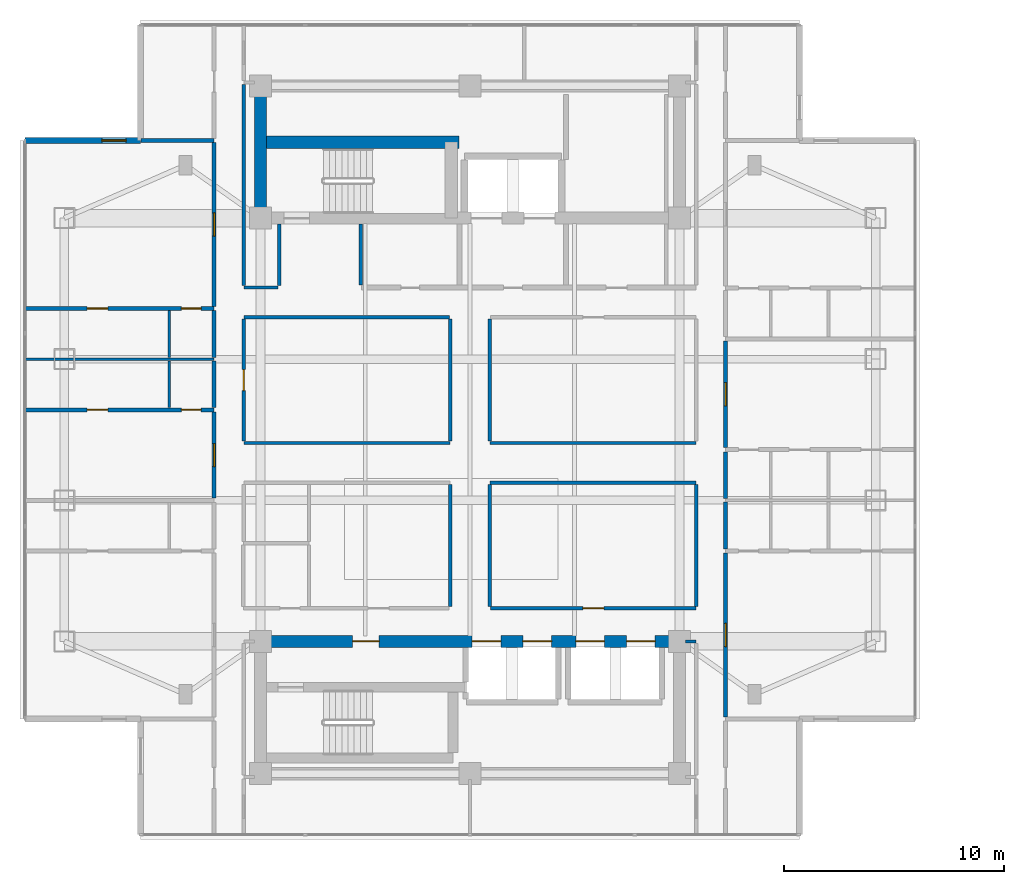
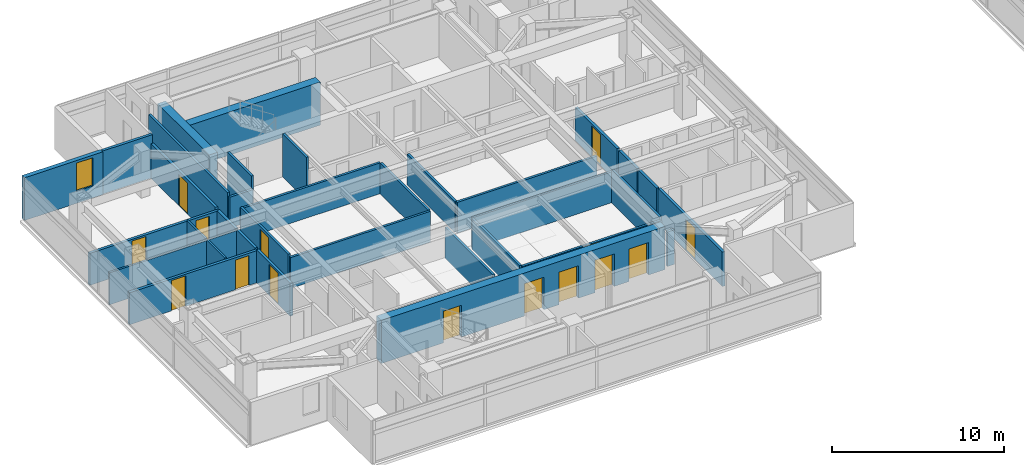
# One storey, part 13 of 24: 34 walls, 15 doors, 1 window, 16 openings.
"""IFC4 building model written with IfcOpenShell, lengths in metres."""

from ifc_helpers import new_model, si_unit, direction, frame, frame_2d, origin, place, context, subcontext, project, spatial, rectangle, extrude, material, layer, layer_set, type_object, element, fill, save


model = new_model("IFC4")

# Units and contexts
model_context = context("Model", 3, precision=1e-05, world=origin(), true_north=direction((0.0, 1.0)))
body_context = subcontext(model_context, "Body", "Model", "MODEL_VIEW")
ifc_project = project(units=[si_unit("LENGTHUNIT", "METRE"), si_unit("AREAUNIT", "SQUARE_METRE"), si_unit("VOLUMEUNIT", "CUBIC_METRE"), si_unit("PLANEANGLEUNIT", "RADIAN"), si_unit("MASSUNIT", "GRAM", prefix="KILO")], contexts=[model_context])

# Site, building, storey
site_placement = place(None, origin())
site = spatial("IfcSite", under=ifc_project, at=site_placement, CompositionType="ELEMENT")
building_placement = place(site_placement, origin())
building = spatial("IfcBuilding", under=site, at=building_placement, Name="Mirazonda Arch Towers", CompositionType="ELEMENT")
storey_placement = place(building_placement, frame((0.0, 0.0, 160.89990234375)))
storey = spatial("IfcBuildingStorey", under=building, at=storey_placement, Name="L45", CompositionType="ELEMENT", Elevation=160.89990234375)

# Walls
ifc_material_1 = material(Name="Concrete C50/60", Category="concrete")
ifc_layer_1 = layer(ifc_material_1, 0.550048828125, Name="WALL-CORE-550")
ifc_layer_set_1 = layer_set([ifc_layer_1], Name="Concrete C50/60")
wall_type_1 = type_object("IfcWallType", Name="WALL-CORE-550", PredefinedType="SHEAR", material=ifc_layer_set_1)
wall_1_placement = place(storey_placement, frame((11.0, 37.60009765625, 0.0), z_axis=(0.0, 0.0, 1.0), x_axis=(0.0, 1.0, 0.0)))
element("IfcWall", 1, at=wall_1_placement, inside=storey, type_object=wall_type_1, Name="L45 T1N-W Core Shear Wall", PredefinedType="SHEAR", context=body_context, shape_type="SweptSolid", body=[
    extrude(rectangle(XDim=6.0, YDim=0.550048828125, at=frame_2d((3.0, 0.0))), origin(), (0.0, 0.0, 1.0), 3.050048828125),
])
wall_2_placement = place(storey_placement, frame((11.0, 41.04296875, 0.0), z_axis=(0.0, 0.0, 1.0), x_axis=(1.0, 0.0, 0.0)))
element("IfcWall", 2, at=wall_2_placement, inside=storey, type_object=wall_type_1, Name="L45 T1N-STN Core Shear Wall", PredefinedType="SHEAR", context=body_context, shape_type="SweptSolid", body=[
    extrude(rectangle(XDim=9.0, YDim=0.550048828125, at=frame_2d((4.5, 0.0))), origin(), (0.0, 0.0, 1.0), 3.050048828125),
])

# Wall, openings, doors
wall_3_placement = place(storey_placement, frame((11.0, 18.39990234375, 0.0), z_axis=(0.0, 0.0, 1.0), x_axis=(1.0, 0.0, 0.0)))
wall_3 = element("IfcWall", 3, at=wall_3_placement, inside=storey, type_object=wall_type_1, Name="L45 T1S-N Core Shear Wall", PredefinedType="SHEAR", context=body_context, shape_type="SweptSolid", body=[
    extrude(rectangle(XDim=19.0, YDim=0.550048828125, at=frame_2d((9.5, 0.0))), origin(), (0.0, 0.0, 1.0), 3.050048828125),
])
opening_1_placement = place(wall_3_placement, frame((4.175048828125, 0.0, 0.0)))
opening_1 = element("IfcOpeningElement", 4, at=opening_1_placement, cuts=wall_3, Name="Opening DR-117", PredefinedType="OPENING", context=body_context, shape_type="SweptSolid", body=[
    extrude(rectangle(XDim=1.199951171875, YDim=2.25, at=frame_2d((0.60009765625, 1.125))), frame((0.0, 0.284912109375, 0.0), z_axis=(0.0, -1.0, 0.0), x_axis=(1.0, 0.0, 0.0)), (0.0, 0.0, 1.0), 0.570068359375),
])
opening_2_placement = place(wall_3_placement, frame((9.60009765625, 0.0, 0.0)))
opening_2 = element("IfcOpeningElement", 5, at=opening_2_placement, cuts=wall_3, Name="Opening LD-111", PredefinedType="OPENING", context=body_context, shape_type="SweptSolid", body=[
    extrude(rectangle(XDim=1.300048828125, YDim=2.300048828125, at=frame_2d((0.64990234375, 1.14990234375))), frame((0.0, 0.284912109375, 0.0), z_axis=(0.0, -1.0, 0.0), x_axis=(1.0, 0.0, 0.0)), (0.0, 0.0, 1.0), 0.570068359375),
])
opening_3_placement = place(wall_3_placement, frame((11.89990234375, 0.0, 0.0)))
opening_3 = element("IfcOpeningElement", 6, at=opening_3_placement, cuts=wall_3, Name="Opening LD-111", PredefinedType="OPENING", context=body_context, shape_type="SweptSolid", body=[
    extrude(rectangle(XDim=1.300048828125, YDim=2.300048828125, at=frame_2d((0.64990234375, 1.14990234375))), frame((0.0, 0.284912109375, 0.0), z_axis=(0.0, -1.0, 0.0), x_axis=(1.0, 0.0, 0.0)), (0.0, 0.0, 1.0), 0.570068359375),
])
opening_4_placement = place(wall_3_placement, frame((14.300048828125, 0.0, 0.0)))
opening_4 = element("IfcOpeningElement", 7, at=opening_4_placement, cuts=wall_3, Name="Opening LD-111", PredefinedType="OPENING", context=body_context, shape_type="SweptSolid", body=[
    extrude(rectangle(XDim=1.300048828125, YDim=2.300048828125, at=frame_2d((0.64990234375, 1.14990234375))), frame((0.0, 0.284912109375, 0.0), z_axis=(0.0, -1.0, 0.0), x_axis=(1.0, 0.0, 0.0)), (0.0, 0.0, 1.0), 0.570068359375),
])
opening_5_placement = place(wall_3_placement, frame((16.60009765625, 0.0, 0.0)))
opening_5 = element("IfcOpeningElement", 8, at=opening_5_placement, cuts=wall_3, Name="Opening LD-111", PredefinedType="OPENING", context=body_context, shape_type="SweptSolid", body=[
    extrude(rectangle(XDim=1.300048828125, YDim=2.300048828125, at=frame_2d((0.64990234375, 1.14990234375))), frame((0.0, 0.284912109375, 0.0), z_axis=(0.0, -1.0, 0.0), x_axis=(1.0, 0.0, 0.0)), (0.0, 0.0, 1.0), 0.570068359375),
])
ifc_material_2 = material(Name="Architectural Brushed Steel S355", Category="steel")
door_type_1 = type_object("IfcDoorType", Name="DOOR-FFL-FD90-1200", OperationType="NOTDEFINED", PredefinedType="DOOR", material=ifc_material_2)
door_1_placement = place(opening_1_placement, origin())
door_1 = element("IfcDoor", 9, at=door_1_placement, inside=storey, type_object=door_type_1, Name="L45 South Core Stair & Lift Lobby Door", OperationType="SINGLE_SWING_LEFT", OverallHeight=2.25, OverallWidth=1.199951171875, PredefinedType="DOOR", context=body_context, shape_type="SweptSolid", body=[
    extrude(rectangle(XDim=1.199951171875, YDim=2.25, at=frame_2d((0.60009765625, 1.125))), frame((0.0, 0.02490234375, 0.0), z_axis=(0.0, -1.0, 0.0), x_axis=(1.0, 0.0, 0.0)), (0.0, 0.0, 1.0), 0.050048828125),
])
fill(opening_1, door_1)
door_type_2 = type_object("IfcDoorType", Name="DOOR-LIFT-LAND-1300", OperationType="NOTDEFINED", PredefinedType="DOOR", material=ifc_material_2)
door_2_placement = place(opening_2_placement, origin())
door_2 = element("IfcDoor", 10, at=door_2_placement, inside=storey, type_object=door_type_2, Name="L45 Lift Landing Sliding Door PL-T1M1", OperationType="DOUBLE_DOOR_SLIDING", OverallHeight=2.300048828125, OverallWidth=1.300048828125, PredefinedType="DOOR", context=body_context, shape_type="SweptSolid", body=[
    extrude(rectangle(XDim=1.300048828125, YDim=2.300048828125, at=frame_2d((0.64990234375, 1.14990234375))), frame((0.0, 0.02490234375, 0.0), z_axis=(0.0, -1.0, 0.0), x_axis=(1.0, 0.0, 0.0)), (0.0, 0.0, 1.0), 0.050048828125),
])
fill(opening_2, door_2)
door_3_placement = place(opening_3_placement, origin())
door_3 = element("IfcDoor", 11, at=door_3_placement, inside=storey, type_object=door_type_2, Name="L45 Lift Landing Sliding Door PL-T1M2", OperationType="DOUBLE_DOOR_SLIDING", OverallHeight=2.300048828125, OverallWidth=1.300048828125, PredefinedType="DOOR", context=body_context, shape_type="SweptSolid", body=[
    extrude(rectangle(XDim=1.300048828125, YDim=2.300048828125, at=frame_2d((0.64990234375, 1.14990234375))), frame((0.0, 0.02490234375, 0.0), z_axis=(0.0, -1.0, 0.0), x_axis=(1.0, 0.0, 0.0)), (0.0, 0.0, 1.0), 0.050048828125),
])
fill(opening_3, door_3)
door_4_placement = place(opening_4_placement, origin())
door_4 = element("IfcDoor", 12, at=door_4_placement, inside=storey, type_object=door_type_2, Name="L45 Lift Landing Sliding Door PL-T1H1", OperationType="DOUBLE_DOOR_SLIDING", OverallHeight=2.300048828125, OverallWidth=1.300048828125, PredefinedType="DOOR", context=body_context, shape_type="SweptSolid", body=[
    extrude(rectangle(XDim=1.300048828125, YDim=2.300048828125, at=frame_2d((0.64990234375, 1.14990234375))), frame((0.0, 0.02490234375, 0.0), z_axis=(0.0, -1.0, 0.0), x_axis=(1.0, 0.0, 0.0)), (0.0, 0.0, 1.0), 0.050048828125),
])
fill(opening_4, door_4)
door_5_placement = place(opening_5_placement, origin())
door_5 = element("IfcDoor", 13, at=door_5_placement, inside=storey, type_object=door_type_2, Name="L45 Lift Landing Sliding Door PL-T1H2", OperationType="DOUBLE_DOOR_SLIDING", OverallHeight=2.300048828125, OverallWidth=1.300048828125, PredefinedType="DOOR", context=body_context, shape_type="SweptSolid", body=[
    extrude(rectangle(XDim=1.300048828125, YDim=2.300048828125, at=frame_2d((0.64990234375, 1.14990234375))), frame((0.0, 0.02490234375, 0.0), z_axis=(0.0, -1.0, 0.0), x_axis=(1.0, 0.0, 0.0)), (0.0, 0.0, 1.0), 0.050048828125),
])
fill(opening_5, door_5)

# Wall, opening, window
ifc_material_3 = material(Name="Precast Concrete C40/50", Category="concrete")
ifc_layer_2 = layer(ifc_material_3, 0.280029296875, Name="WALL-EXT-WALL-280")
ifc_layer_set_2 = layer_set([ifc_layer_2], Name="Precast Concrete C40/50")
wall_type_2 = type_object("IfcWallType", Name="WALL-EXT-WALL-280", PredefinedType="SOLIDWALL", material=ifc_layer_set_2)
wall_4_placement = place(storey_placement, frame((5.554931640625, 41.12109375, 0.0), z_axis=(0.0, 0.0, 1.0), x_axis=(-1.0, 0.0, 0.0)))
wall_4 = element("IfcWall", 14, at=wall_4_placement, inside=storey, type_object=wall_type_2, Name="L45 T1 Corner Notch Return Wall WL-L45-T1-CNW1", PredefinedType="SOLIDWALL", context=body_context, shape_type="SweptSolid", body=[
    extrude(rectangle(XDim=5.244873046875, YDim=0.280029296875, at=frame_2d((2.62255859375, 0.0))), origin(), (0.0, 0.0, 1.0), 3.030029296875),
])
opening_6_placement = place(wall_4_placement, frame((0.64990234375, 0.0, 0.85009765625)))
opening_6 = element("IfcOpeningElement", 15, at=opening_6_placement, cuts=wall_4, Name="Opening WN-108", PredefinedType="OPENING", context=body_context, shape_type="SweptSolid", body=[
    extrude(rectangle(XDim=1.10009765625, YDim=2.0, at=frame_2d((0.550048828125, 1.0))), frame((0.0, 0.14990234375, 0.0), z_axis=(0.0, -1.0, 0.0), x_axis=(1.0, 0.0, 0.0)), (0.0, 0.0, 1.0), 0.300048828125),
])
ifc_material_4 = material(Name="Insulated Low-E Solar Glass", Category="glass")
window_type = type_object("IfcWindowType", Name="WIN-NOTCH-1100x2000", PartitioningType="SINGLE_PANEL", PredefinedType="WINDOW", material=ifc_material_4)
window_placement = place(opening_6_placement, origin())
window = element("IfcWindow", 16, at=window_placement, inside=storey, type_object=window_type, Name="L45 Punched Facade Window WN-L45-T1-CNW1", OverallHeight=2.0, OverallWidth=1.10009765625, PartitioningType="SINGLE_PANEL", PredefinedType="WINDOW", context=body_context, shape_type="SweptSolid", body=[
    extrude(rectangle(XDim=1.10009765625, YDim=2.0, at=frame_2d((0.550048828125, 1.0))), frame((0.0, 0.030029296875, 0.0), z_axis=(0.0, -1.0, 0.0), x_axis=(1.0, 0.0, 0.0)), (0.0, 0.0, 1.0), 0.06005859375),
])
fill(opening_6, window)

# Wall
ifc_material_5 = material(Name="Fire-Rated Gypsum Stud Partition")
ifc_layer_3 = layer(ifc_material_5, 0.14990234375, Name="WALL-PART-CORR-150")
ifc_layer_set_3 = layer_set([ifc_layer_3], Name="Fire-Rated Gypsum Stud Partition")
wall_type_3 = type_object("IfcWallType", Name="WALL-PART-CORR-150", PredefinedType="PARTITIONING", material=ifc_layer_set_3)
wall_5_placement = place(storey_placement, frame((30.27001953125, 18.39990234375, 0.0), z_axis=(0.0, 0.0, 1.0), x_axis=(1.0, 0.0, 0.0)))
element("IfcWall", 17, at=wall_5_placement, inside=storey, type_object=wall_type_3, Name="L45 Interior Partition 013", PredefinedType="PARTITIONING", context=body_context, shape_type="SweptSolid", body=[
    extrude(rectangle(XDim=0.489990234375, YDim=0.14990234375, at=frame_2d((0.2451171875, 0.0))), origin(), (0.0, 0.0, 1.0), 2.442138671875),
])

# Wall, opening, door
wall_6_placement = place(storey_placement, frame((21.43994140625, 19.89990234375, 0.0), z_axis=(0.0, 0.0, 1.0), x_axis=(1.0, 0.0, 0.0)))
wall_6 = element("IfcWall", 18, at=wall_6_placement, inside=storey, type_object=wall_type_3, Name="L45 Interior Partition 016", PredefinedType="PARTITIONING", context=body_context, shape_type="SweptSolid", body=[
    extrude(rectangle(XDim=9.320068359375, YDim=0.14990234375, at=frame_2d((4.66015625, 0.0))), origin(), (0.0, 0.0, 1.0), 2.18603515625),
])
opening_7_placement = place(wall_6_placement, frame((4.18505859375, 0.0, 0.0)))
opening_7 = element("IfcOpeningElement", 19, at=opening_7_placement, cuts=wall_6, Name="Opening DR-104", PredefinedType="OPENING", context=body_context, shape_type="SweptSolid", body=[
    extrude(rectangle(XDim=0.949951171875, YDim=2.14990234375, at=frame_2d((0.47509765625, 1.074951171875))), frame((0.0, 0.0849609375, 0.0), z_axis=(0.0, -1.0, 0.0), x_axis=(1.0, 0.0, 0.0)), (0.0, 0.0, 1.0), 0.169921875),
])
door_type_3 = type_object("IfcDoorType", Name="DOOR-ROOM-950", OperationType="NOTDEFINED", PredefinedType="DOOR", material=ifc_material_2)
door_6_placement = place(opening_7_placement, origin())
door_6 = element("IfcDoor", 20, at=door_6_placement, inside=storey, type_object=door_type_3, Name="L45 L45 South-East Cruciform Lounge Door", OperationType="SINGLE_SWING_LEFT", OverallHeight=2.14990234375, OverallWidth=0.949951171875, PredefinedType="DOOR", context=body_context, shape_type="SweptSolid", body=[
    extrude(rectangle(XDim=0.949951171875, YDim=2.14990234375, at=frame_2d((0.47509765625, 1.074951171875))), frame((0.0, 0.02490234375, 0.0), z_axis=(0.0, -1.0, 0.0), x_axis=(1.0, 0.0, 0.0)), (0.0, 0.0, 1.0), 0.050048828125),
])
fill(opening_7, door_6)

# Walls
for number, where, z_axis, x_axis, name in (
    (21, (21.39990234375, 25.60009765625, 0.0), (0.0, 0.0, 1.0), (1.0, 0.0, 0.0), "L45 Interior Partition 030"),
    (22, (10.239990234375, 27.39990234375, 0.0), (0.0, 0.0, 1.0), (1.0, 0.0, 0.0), "L45 Interior Partition 034"),
    (23, (21.39990234375, 27.39990234375, 0.0), (0.0, 0.0, 1.0), (1.0, 0.0, 0.0), "L45 Interior Partition 035"),
):
    element("IfcWall", number, at=place(storey_placement, frame(where, z_axis=z_axis, x_axis=x_axis)), inside=storey, type_object=wall_type_3, Name=name, PredefinedType="PARTITIONING", context=body_context, shape_type="SweptSolid", body=[
        extrude(rectangle(XDim=9.360107421875, YDim=0.14990234375, at=frame_2d((4.68017578125, 0.0))), origin(), (0.0, 0.0, 1.0), 2.18603515625),
    ])
wall_7_placement = place(storey_placement, frame((10.239990234375, 33.10009765625, 0.0), z_axis=(0.0, 0.0, 1.0), x_axis=(1.0, 0.0, 0.0)))
element("IfcWall", 24, at=wall_7_placement, inside=storey, type_object=wall_type_3, Name="L45 Interior Partition 047", PredefinedType="PARTITIONING", context=body_context, shape_type="SweptSolid", body=[
    extrude(rectangle(XDim=9.320068359375, YDim=0.14990234375, at=frame_2d((4.66015625, 0.0))), origin(), (0.0, 0.0, 1.0), 2.18603515625),
])
wall_8_placement = place(storey_placement, frame((10.239990234375, 34.449951171875, 0.0), z_axis=(0.0, 0.0, 1.0), x_axis=(1.0, 0.0, 0.0)))
element("IfcWall", 25, at=wall_8_placement, inside=storey, type_object=wall_type_3, Name="L45 Interior Partition 051", PredefinedType="PARTITIONING", context=body_context, shape_type="SweptSolid", body=[
    extrude(rectangle(XDim=1.56005859375, YDim=0.14990234375, at=frame_2d((0.780029296875, 0.0))), origin(), (0.0, 0.0, 1.0), 2.18603515625),
])

# Wall, opening, door
wall_9_placement = place(storey_placement, frame((10.239990234375, 27.485107421875, 0.0), z_axis=(0.0, 0.0, 1.0), x_axis=(0.0, 1.0, 0.0)))
wall_9 = element("IfcWall", 26, at=wall_9_placement, inside=storey, type_object=wall_type_3, Name="L45 Interior Partition 079", PredefinedType="PARTITIONING", context=body_context, shape_type="SweptSolid", body=[
    extrude(rectangle(XDim=5.52978515625, YDim=0.14990234375, at=frame_2d((2.764892578125, 0.0))), origin(), (0.0, 0.0, 1.0), 2.34619140625),
])
opening_8_placement = place(wall_9_placement, frame((2.2900390625, 0.0, 0.0)))
opening_8 = element("IfcOpeningElement", 27, at=opening_8_placement, cuts=wall_9, Name="Opening DR-104", PredefinedType="OPENING", context=body_context, shape_type="SweptSolid", body=[
    extrude(rectangle(XDim=0.949951171875, YDim=2.14990234375, at=frame_2d((0.47509765625, 1.074951171875))), frame((0.0, 0.0849609375, 0.0), z_axis=(0.0, -1.0, 0.0), x_axis=(1.0, 0.0, 0.0)), (0.0, 0.0, 1.0), 0.169921875),
])
door_7_placement = place(opening_8_placement, origin())
door_7 = element("IfcDoor", 28, at=door_7_placement, inside=storey, type_object=door_type_3, Name="L45 L45 West Courtyard Reading Salon Door", OperationType="SINGLE_SWING_RIGHT", OverallHeight=2.14990234375, OverallWidth=0.949951171875, PredefinedType="DOOR", context=body_context, shape_type="SweptSolid", body=[
    extrude(rectangle(XDim=0.949951171875, YDim=2.14990234375, at=frame_2d((0.47509765625, 1.074951171875))), frame((0.0, 0.02490234375, 0.0), z_axis=(0.0, -1.0, 0.0), x_axis=(1.0, 0.0, 0.0)), (0.0, 0.0, 1.0), 0.050048828125),
])
fill(opening_8, door_7)

# Walls
wall_10_placement = place(storey_placement, frame((10.239990234375, 34.534912109375, 0.0), z_axis=(0.0, 0.0, 1.0), x_axis=(0.0, 1.0, 0.0)))
element("IfcWall", 29, at=wall_10_placement, inside=storey, type_object=wall_type_3, Name="L45 Interior Partition 080", PredefinedType="PARTITIONING", context=body_context, shape_type="SweptSolid", body=[
    extrude(rectangle(XDim=9.130126953125, YDim=0.14990234375, at=frame_2d((4.56494140625, 0.0))), origin(), (0.0, 0.0, 1.0), 2.442138671875),
])
wall_11_placement = place(storey_placement, frame((11.85009765625, 34.534912109375, 0.0), z_axis=(0.0, 0.0, 1.0), x_axis=(0.0, 1.0, 0.0)))
element("IfcWall", 30, at=wall_11_placement, inside=storey, type_object=wall_type_3, Name="L45 Interior Partition 082", PredefinedType="PARTITIONING", context=body_context, shape_type="SweptSolid", body=[
    extrude(rectangle(XDim=2.795166015625, YDim=0.14990234375, at=frame_2d((1.3974609375, 0.0))), origin(), (0.0, 0.0, 1.0), 3.050048828125),
])
wall_12_placement = place(storey_placement, frame((15.550048828125, 34.570068359375, 0.0), z_axis=(0.0, 0.0, 1.0), x_axis=(0.0, 1.0, 0.0)))
element("IfcWall", 31, at=wall_12_placement, inside=storey, type_object=wall_type_3, Name="L45 Interior Partition 085", PredefinedType="PARTITIONING", context=body_context, shape_type="SweptSolid", body=[
    extrude(rectangle(XDim=2.760009765625, YDim=0.14990234375, at=frame_2d((1.3798828125, 0.0))), origin(), (0.0, 0.0, 1.0), 3.050048828125),
])
for number, where, z_axis, x_axis, name in (
    (32, (19.60009765625, 19.985107421875, 0.0), (0.0, 0.0, 1.0), (0.0, 1.0, 0.0), "L45 Interior Partition 086"),
    (33, (19.60009765625, 27.485107421875, 0.0), (0.0, 0.0, 1.0), (0.0, 1.0, 0.0), "L45 Interior Partition 087"),
    (34, (21.39990234375, 19.985107421875, 0.0), (0.0, 0.0, 1.0), (0.0, 1.0, 0.0), "L45 Interior Partition 094"),
    (35, (21.39990234375, 27.485107421875, 0.0), (0.0, 0.0, 1.0), (0.0, 1.0, 0.0), "L45 Interior Partition 095"),
):
    element("IfcWall", number, at=place(storey_placement, frame(where, z_axis=z_axis, x_axis=x_axis)), inside=storey, type_object=wall_type_3, Name=name, PredefinedType="PARTITIONING", context=body_context, shape_type="SweptSolid", body=[
        extrude(rectangle(XDim=5.52978515625, YDim=0.14990234375, at=frame_2d((2.764892578125, 0.0))), origin(), (0.0, 0.0, 1.0), 2.18603515625),
    ])
wall_13_placement = place(storey_placement, frame((30.760009765625, 19.985107421875, 0.0), z_axis=(0.0, 0.0, 1.0), x_axis=(0.0, 1.0, 0.0)))
element("IfcWall", 36, at=wall_13_placement, inside=storey, type_object=wall_type_3, Name="L45 Interior Partition 107", PredefinedType="PARTITIONING", context=body_context, shape_type="SweptSolid", body=[
    extrude(rectangle(XDim=5.52978515625, YDim=0.14990234375, at=frame_2d((2.764892578125, 0.0))), origin(), (0.0, 0.0, 1.0), 2.34619140625),
])

# Wall, openings, doors
ifc_material_6 = material(Name="Fire-Rated Gypsum Twin-Stud Assembly")
ifc_layer_4 = layer(ifc_material_6, 0.179931640625, Name="WALL-PART-DEMISE-180")
ifc_layer_set_4 = layer_set([ifc_layer_4], Name="Fire-Rated Gypsum Twin-Stud Assembly")
wall_type_4 = type_object("IfcWallType", Name="WALL-PART-DEMISE-180", PredefinedType="PARTITIONING", material=ifc_layer_set_4)
wall_14_placement = place(storey_placement, frame((0.31005859375, 28.89990234375, 0.0), z_axis=(0.0, 0.0, 1.0), x_axis=(1.0, 0.0, 0.0)))
wall_14 = element("IfcWall", 37, at=wall_14_placement, inside=storey, type_object=wall_type_4, Name="L45 Interior Partition 038", PredefinedType="PARTITIONING", context=body_context, shape_type="SweptSolid", body=[
    extrude(rectangle(XDim=8.58984375, YDim=0.179931640625, at=frame_2d((4.294921875, 0.0))), origin(), (0.0, 0.0, 1.0), 2.26904296875),
])
opening_9_placement = place(wall_14_placement, frame((2.820068359375, 0.0, 0.0)))
opening_9 = element("IfcOpeningElement", 38, at=opening_9_placement, cuts=wall_14, Name="Opening DR-104", PredefinedType="OPENING", context=body_context, shape_type="SweptSolid", body=[
    extrude(rectangle(XDim=0.949951171875, YDim=2.14990234375, at=frame_2d((0.47509765625, 1.074951171875))), frame((0.0, 0.099853515625, 0.0), z_axis=(0.0, -1.0, 0.0), x_axis=(1.0, 0.0, 0.0)), (0.0, 0.0, 1.0), 0.199951171875),
])
opening_10_placement = place(wall_14_placement, frame((7.10009765625, 0.0, 0.0)))
opening_10 = element("IfcOpeningElement", 39, at=opening_10_placement, cuts=wall_14, Name="Opening DR-120", PredefinedType="OPENING", context=body_context, shape_type="SweptSolid", body=[
    extrude(rectangle(XDim=0.89990234375, YDim=2.10009765625, at=frame_2d((0.449951171875, 1.050048828125))), frame((0.0, 0.099853515625, 0.0), z_axis=(0.0, -1.0, 0.0), x_axis=(1.0, 0.0, 0.0)), (0.0, 0.0, 1.0), 0.199951171875),
])
door_8_placement = place(opening_9_placement, origin())
door_8 = element("IfcDoor", 40, at=door_8_placement, inside=storey, type_object=door_type_3, Name="L45 Studio 2 Galley Kitchen Door", OperationType="SINGLE_SWING_RIGHT", OverallHeight=2.14990234375, OverallWidth=0.949951171875, PredefinedType="DOOR", context=body_context, shape_type="SweptSolid", body=[
    extrude(rectangle(XDim=0.949951171875, YDim=2.14990234375, at=frame_2d((0.47509765625, 1.074951171875))), frame((0.0, 0.02490234375, 0.0), z_axis=(0.0, -1.0, 0.0), x_axis=(1.0, 0.0, 0.0)), (0.0, 0.0, 1.0), 0.050048828125),
])
fill(opening_9, door_8)
door_type_4 = type_object("IfcDoorType", Name="DOOR-WC-900", OperationType="NOTDEFINED", PredefinedType="DOOR", material=ifc_material_2)
door_9_placement = place(opening_10_placement, origin())
door_9 = element("IfcDoor", 41, at=door_9_placement, inside=storey, type_object=door_type_4, Name="L45 Studio 2 Bathroom Door", OperationType="SINGLE_SWING_LEFT", OverallHeight=2.10009765625, OverallWidth=0.89990234375, PredefinedType="DOOR", context=body_context, shape_type="SweptSolid", body=[
    extrude(rectangle(XDim=0.89990234375, YDim=2.10009765625, at=frame_2d((0.449951171875, 1.050048828125))), frame((0.0, 0.02490234375, 0.0), z_axis=(0.0, -1.0, 0.0), x_axis=(1.0, 0.0, 0.0)), (0.0, 0.0, 1.0), 0.050048828125),
])
fill(opening_10, door_9)

wall_15_placement = place(storey_placement, frame((0.31005859375, 33.5, 0.0), z_axis=(0.0, 0.0, 1.0), x_axis=(1.0, 0.0, 0.0)))
wall_15 = element("IfcWall", 42, at=wall_15_placement, inside=storey, type_object=wall_type_4, Name="L45 Interior Partition 049", PredefinedType="PARTITIONING", context=body_context, shape_type="SweptSolid", body=[
    extrude(rectangle(XDim=8.58984375, YDim=0.179931640625, at=frame_2d((4.294921875, 0.0))), origin(), (0.0, 0.0, 1.0), 2.26904296875),
])
opening_11_placement = place(wall_15_placement, frame((2.820068359375, 0.0, 0.0)))
opening_11 = element("IfcOpeningElement", 43, at=opening_11_placement, cuts=wall_15, Name="Opening DR-104", PredefinedType="OPENING", context=body_context, shape_type="SweptSolid", body=[
    extrude(rectangle(XDim=0.949951171875, YDim=2.14990234375, at=frame_2d((0.47509765625, 1.074951171875))), frame((0.0, 0.099853515625, 0.0), z_axis=(0.0, -1.0, 0.0), x_axis=(1.0, 0.0, 0.0)), (0.0, 0.0, 1.0), 0.199951171875),
])
opening_12_placement = place(wall_15_placement, frame((7.10009765625, 0.0, 0.0)))
opening_12 = element("IfcOpeningElement", 44, at=opening_12_placement, cuts=wall_15, Name="Opening DR-120", PredefinedType="OPENING", context=body_context, shape_type="SweptSolid", body=[
    extrude(rectangle(XDim=0.89990234375, YDim=2.10009765625, at=frame_2d((0.449951171875, 1.050048828125))), frame((0.0, 0.099853515625, 0.0), z_axis=(0.0, -1.0, 0.0), x_axis=(1.0, 0.0, 0.0)), (0.0, 0.0, 1.0), 0.199951171875),
])
door_10_placement = place(opening_11_placement, origin())
door_10 = element("IfcDoor", 45, at=door_10_placement, inside=storey, type_object=door_type_3, Name="L45 Studio 3 Galley Kitchen Door", OperationType="SINGLE_SWING_LEFT", OverallHeight=2.14990234375, OverallWidth=0.949951171875, PredefinedType="DOOR", context=body_context, shape_type="SweptSolid", body=[
    extrude(rectangle(XDim=0.949951171875, YDim=2.14990234375, at=frame_2d((0.47509765625, 1.074951171875))), frame((0.0, 0.02490234375, 0.0), z_axis=(0.0, -1.0, 0.0), x_axis=(1.0, 0.0, 0.0)), (0.0, 0.0, 1.0), 0.050048828125),
])
fill(opening_11, door_10)
door_11_placement = place(opening_12_placement, origin())
door_11 = element("IfcDoor", 46, at=door_11_placement, inside=storey, type_object=door_type_4, Name="L45 Studio 3 Bathroom Door", OperationType="SINGLE_SWING_RIGHT", OverallHeight=2.10009765625, OverallWidth=0.89990234375, PredefinedType="DOOR", context=body_context, shape_type="SweptSolid", body=[
    extrude(rectangle(XDim=0.89990234375, YDim=2.10009765625, at=frame_2d((0.449951171875, 1.050048828125))), frame((0.0, 0.02490234375, 0.0), z_axis=(0.0, -1.0, 0.0), x_axis=(1.0, 0.0, 0.0)), (0.0, 0.0, 1.0), 0.050048828125),
])
fill(opening_12, door_11)

# Wall
wall_16_placement = place(storey_placement, frame((5.574951171875, 41.12109375, 0.0), z_axis=(0.0, 0.0, 1.0), x_axis=(1.0, 0.0, 0.0)))
element("IfcWall", 47, at=wall_16_placement, inside=storey, type_object=wall_type_4, Name="L45 Interior Partition 060", PredefinedType="PARTITIONING", context=body_context, shape_type="SweptSolid", body=[
    extrude(rectangle(XDim=3.324951171875, YDim=0.179931640625, at=frame_2d((1.66259765625, 0.0))), origin(), (0.0, 0.0, 1.0), 3.050048828125),
])

# Wall, opening, door
wall_17_placement = place(storey_placement, frame((8.89990234375, 24.89990234375, 0.0), z_axis=(0.0, 0.0, 1.0), x_axis=(0.0, 1.0, 0.0)))
wall_17 = element("IfcWall", 48, at=wall_17_placement, inside=storey, type_object=wall_type_4, Name="L45 Interior Partition 070", PredefinedType="PARTITIONING", context=body_context, shape_type="SweptSolid", body=[
    extrude(rectangle(XDim=3.900146484375, YDim=0.179931640625, at=frame_2d((1.9501953125, 0.0))), origin(), (0.0, 0.0, 1.0), 2.34619140625),
])
opening_13_placement = place(wall_17_placement, frame((1.425048828125, 0.0, 0.0)))
opening_13 = element("IfcOpeningElement", 49, at=opening_13_placement, cuts=wall_17, Name="Opening DR-121", PredefinedType="OPENING", context=body_context, shape_type="SweptSolid", body=[
    extrude(rectangle(XDim=1.050048828125, YDim=2.199951171875, at=frame_2d((0.52490234375, 1.10009765625))), frame((0.0, 0.099853515625, 0.0), z_axis=(0.0, -1.0, 0.0), x_axis=(1.0, 0.0, 0.0)), (0.0, 0.0, 1.0), 0.199951171875),
])
door_type_5 = type_object("IfcDoorType", Name="DOOR-SUITE-FD60-1050", OperationType="NOTDEFINED", PredefinedType="DOOR", material=ifc_material_2)
door_12_placement = place(opening_13_placement, origin())
door_12 = element("IfcDoor", 50, at=door_12_placement, inside=storey, type_object=door_type_5, Name="L45 Studio Apartment 2 Living Salon Door", OperationType="SINGLE_SWING_LEFT", OverallHeight=2.199951171875, OverallWidth=1.050048828125, PredefinedType="DOOR", context=body_context, shape_type="SweptSolid", body=[
    extrude(rectangle(XDim=1.050048828125, YDim=2.199951171875, at=frame_2d((0.52490234375, 1.10009765625))), frame((0.0, 0.02490234375, 0.0), z_axis=(0.0, -1.0, 0.0), x_axis=(1.0, 0.0, 0.0)), (0.0, 0.0, 1.0), 0.050048828125),
])
fill(opening_13, door_12)

# Walls
for number, where, z_axis, x_axis, name in (
    (51, (8.89990234375, 29.0, 0.0), (0.0, 0.0, 1.0), (0.0, 1.0, 0.0), "L45 Interior Partition 071"),
    (52, (8.89990234375, 31.2724609375, 0.0), (0.0, 0.0, 1.0), (0.0, 1.0, 0.0), "L45 Interior Partition 072"),
):
    element("IfcWall", number, at=place(storey_placement, frame(where, z_axis=z_axis, x_axis=x_axis)), inside=storey, type_object=wall_type_4, Name=name, PredefinedType="PARTITIONING", context=body_context, shape_type="SweptSolid", body=[
        extrude(rectangle(XDim=2.12744140625, YDim=0.179931640625, at=frame_2d((1.063720703125, 0.0))), origin(), (0.0, 0.0, 1.0), 2.34619140625),
    ])

# Wall, opening, door
wall_18_placement = place(storey_placement, frame((8.89990234375, 33.60009765625, 0.0), z_axis=(0.0, 0.0, 1.0), x_axis=(0.0, 1.0, 0.0)))
wall_18 = element("IfcWall", 53, at=wall_18_placement, inside=storey, type_object=wall_type_4, Name="L45 Interior Partition 073", PredefinedType="PARTITIONING", context=body_context, shape_type="SweptSolid", body=[
    extrude(rectangle(XDim=7.4208984375, YDim=0.179931640625, at=frame_2d((3.71044921875, 0.0))), origin(), (0.0, 0.0, 1.0), 2.442138671875),
])
opening_14_placement = place(wall_18_placement, frame((3.185546875, 0.0, 0.0)))
opening_14 = element("IfcOpeningElement", 54, at=opening_14_placement, cuts=wall_18, Name="Opening DR-121", PredefinedType="OPENING", context=body_context, shape_type="SweptSolid", body=[
    extrude(rectangle(XDim=1.050048828125, YDim=2.199951171875, at=frame_2d((0.52490234375, 1.10009765625))), frame((0.0, 0.099853515625, 0.0), z_axis=(0.0, -1.0, 0.0), x_axis=(1.0, 0.0, 0.0)), (0.0, 0.0, 1.0), 0.199951171875),
])
door_13_placement = place(opening_14_placement, origin())
door_13 = element("IfcDoor", 55, at=door_13_placement, inside=storey, type_object=door_type_5, Name="L45 Studio Apartment 3 Living Salon Door", OperationType="SINGLE_SWING_RIGHT", OverallHeight=2.199951171875, OverallWidth=1.050048828125, PredefinedType="DOOR", context=body_context, shape_type="SweptSolid", body=[
    extrude(rectangle(XDim=1.050048828125, YDim=2.199951171875, at=frame_2d((0.52490234375, 1.10009765625))), frame((0.0, 0.02490234375, 0.0), z_axis=(0.0, -1.0, 0.0), x_axis=(1.0, 0.0, 0.0)), (0.0, 0.0, 1.0), 0.050048828125),
])
fill(opening_14, door_13)

wall_19_placement = place(storey_placement, frame((32.10009765625, 14.97900390625, 0.0), z_axis=(0.0, 0.0, 1.0), x_axis=(0.0, 1.0, 0.0)))
wall_19 = element("IfcWall", 56, at=wall_19_placement, inside=storey, type_object=wall_type_4, Name="L45 Interior Partition 112", PredefinedType="PARTITIONING", context=body_context, shape_type="SweptSolid", body=[
    extrude(rectangle(XDim=7.4208984375, YDim=0.179931640625, at=frame_2d((3.71044921875, 0.0))), origin(), (0.0, 0.0, 1.0), 2.442138671875),
])
opening_15_placement = place(wall_19_placement, frame((3.185546875, 0.0, 0.0)))
opening_15 = element("IfcOpeningElement", 57, at=opening_15_placement, cuts=wall_19, Name="Opening DR-121", PredefinedType="OPENING", context=body_context, shape_type="SweptSolid", body=[
    extrude(rectangle(XDim=1.050048828125, YDim=2.199951171875, at=frame_2d((0.52490234375, 1.10009765625))), frame((0.0, 0.099853515625, 0.0), z_axis=(0.0, -1.0, 0.0), x_axis=(1.0, 0.0, 0.0)), (0.0, 0.0, 1.0), 0.199951171875),
])
door_14_placement = place(opening_15_placement, origin())
door_14 = element("IfcDoor", 58, at=door_14_placement, inside=storey, type_object=door_type_5, Name="L45 Residence 1 Living & Dining Salon Door", OperationType="SINGLE_SWING_LEFT", OverallHeight=2.199951171875, OverallWidth=1.050048828125, PredefinedType="DOOR", context=body_context, shape_type="SweptSolid", body=[
    extrude(rectangle(XDim=1.050048828125, YDim=2.199951171875, at=frame_2d((0.52490234375, 1.10009765625))), frame((0.0, 0.02490234375, 0.0), z_axis=(0.0, -1.0, 0.0), x_axis=(1.0, 0.0, 0.0)), (0.0, 0.0, 1.0), 0.050048828125),
])
fill(opening_15, door_14)

# Walls
for number, where, z_axis, x_axis, name in (
    (59, (32.10009765625, 22.60009765625, 0.0), (0.0, 0.0, 1.0), (0.0, 1.0, 0.0), "L45 Interior Partition 113"),
    (60, (32.10009765625, 24.87255859375, 0.0), (0.0, 0.0, 1.0), (0.0, 1.0, 0.0), "L45 Interior Partition 114"),
):
    element("IfcWall", number, at=place(storey_placement, frame(where, z_axis=z_axis, x_axis=x_axis)), inside=storey, type_object=wall_type_4, Name=name, PredefinedType="PARTITIONING", context=body_context, shape_type="SweptSolid", body=[
        extrude(rectangle(XDim=2.12744140625, YDim=0.179931640625, at=frame_2d((1.063720703125, 0.0))), origin(), (0.0, 0.0, 1.0), 2.34619140625),
    ])

# Wall, opening, door
wall_20_placement = place(storey_placement, frame((32.10009765625, 27.199951171875, 0.0), z_axis=(0.0, 0.0, 1.0), x_axis=(0.0, 1.0, 0.0)))
wall_20 = element("IfcWall", 61, at=wall_20_placement, inside=storey, type_object=wall_type_4, Name="L45 Interior Partition 115", PredefinedType="PARTITIONING", context=body_context, shape_type="SweptSolid", body=[
    extrude(rectangle(XDim=4.8271484375, YDim=0.179931640625, at=frame_2d((2.41357421875, 0.0))), origin(), (0.0, 0.0, 1.0), 2.34619140625),
])
opening_16_placement = place(wall_20_placement, frame((1.888427734375, 0.0, 0.0)))
opening_16 = element("IfcOpeningElement", 62, at=opening_16_placement, cuts=wall_20, Name="Opening DR-121", PredefinedType="OPENING", context=body_context, shape_type="SweptSolid", body=[
    extrude(rectangle(XDim=1.050048828125, YDim=2.199951171875, at=frame_2d((0.52490234375, 1.10009765625))), frame((0.0, 0.099853515625, 0.0), z_axis=(0.0, -1.0, 0.0), x_axis=(1.0, 0.0, 0.0)), (0.0, 0.0, 1.0), 0.199951171875),
])
door_15_placement = place(opening_16_placement, origin())
door_15 = element("IfcDoor", 63, at=door_15_placement, inside=storey, type_object=door_type_5, Name="L45 Residence 2 Living & Dining Salon Door", OperationType="SINGLE_SWING_LEFT", OverallHeight=2.199951171875, OverallWidth=1.050048828125, PredefinedType="DOOR", context=body_context, shape_type="SweptSolid", body=[
    extrude(rectangle(XDim=1.050048828125, YDim=2.199951171875, at=frame_2d((0.52490234375, 1.10009765625))), frame((0.0, 0.02490234375, 0.0), z_axis=(0.0, -1.0, 0.0), x_axis=(1.0, 0.0, 0.0)), (0.0, 0.0, 1.0), 0.050048828125),
])
fill(opening_16, door_15)

# Walls
ifc_material_7 = material(Name="Acoustic Fire-Rated Gypsum Partition")
ifc_layer_5 = layer(ifc_material_7, 0.125, Name="WALL-PART-UNIT-125")
ifc_layer_set_5 = layer_set([ifc_layer_5], Name="Acoustic Fire-Rated Gypsum Partition")
wall_type_5 = type_object("IfcWallType", Name="WALL-PART-UNIT-125", PredefinedType="PARTITIONING", material=ifc_layer_set_5)
wall_21_placement = place(storey_placement, frame((0.31005859375, 31.199951171875, 0.0), z_axis=(0.0, 0.0, 1.0), x_axis=(1.0, 0.0, 0.0)))
element("IfcWall", 64, at=wall_21_placement, inside=storey, type_object=wall_type_5, Name="L45 Interior Partition 042", PredefinedType="PARTITIONING", context=body_context, shape_type="SweptSolid", body=[
    extrude(rectangle(XDim=8.58984375, YDim=0.125, at=frame_2d((4.294921875, 0.0))), origin(), (0.0, 0.0, 1.0), 2.26904296875),
])
for number, where, z_axis, x_axis, name in (
    (65, (6.860107421875, 29.0, 0.0), (0.0, 0.0, 1.0), (0.0, 1.0, 0.0), "L45 Interior Partition 065"),
    (66, (6.860107421875, 31.2724609375, 0.0), (0.0, 0.0, 1.0), (0.0, 1.0, 0.0), "L45 Interior Partition 066"),
):
    element("IfcWall", number, at=place(storey_placement, frame(where, z_axis=z_axis, x_axis=x_axis)), inside=storey, type_object=wall_type_5, Name=name, PredefinedType="PARTITIONING", context=body_context, shape_type="SweptSolid", body=[
        extrude(rectangle(XDim=2.12744140625, YDim=0.125, at=frame_2d((1.063720703125, 0.0))), origin(), (0.0, 0.0, 1.0), 2.34619140625),
    ])

save(model, "model.ifc")
